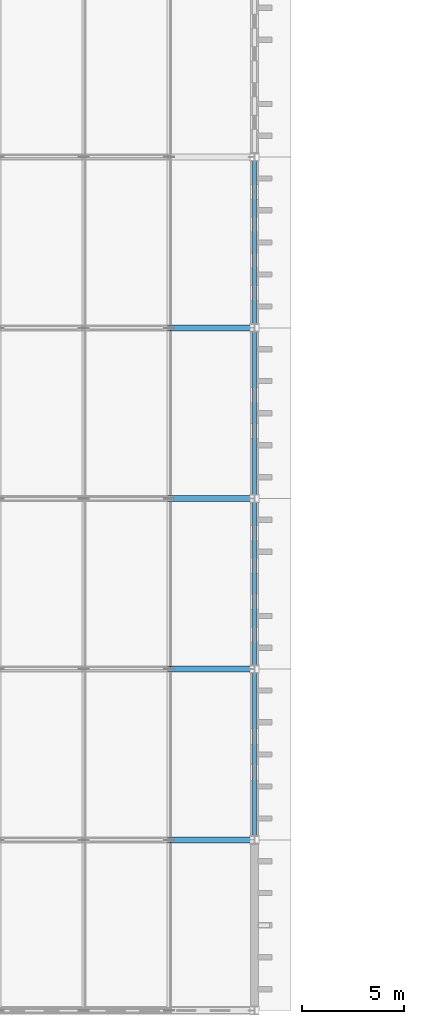
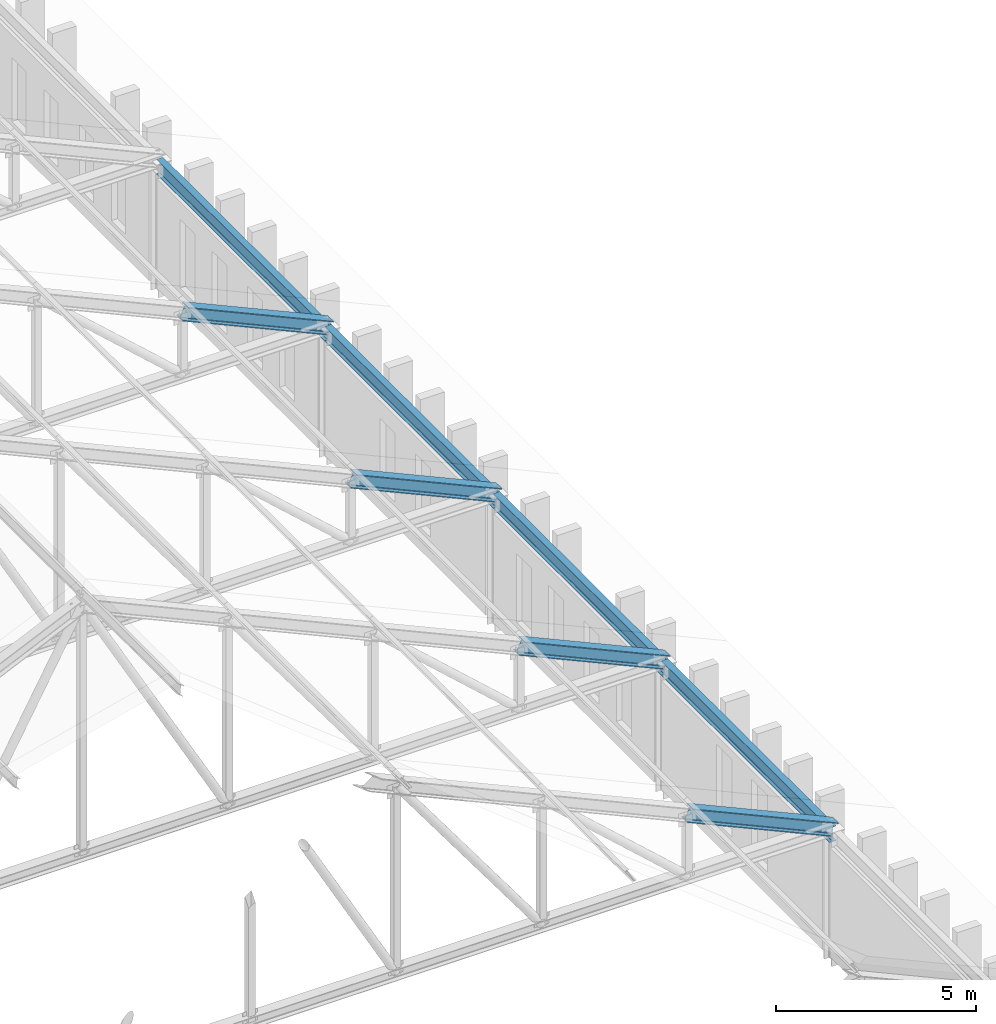
# One storey, part 13 of 110: 4 beams, 4 members.
"""IFC4 building model written with IfcOpenShell, lengths in metres."""

import ifcopenshell
import ifcopenshell.guid

model = None  # the IFC model being written
_history = None  # IfcOwnerHistory: only IFC2X3 demands one
_inside = {}  # id of a spatial element -> (the spatial element, [elements in it])
_under = {}  # id of a project, library or spatial element -> (it, [spatial elements below it])
_declared = {}  # id of a project -> (the project, [libraries it declares])
_typed = {}  # id of a type object -> (the type object, [elements of that type])
_made_of = {}  # id of a material, layer set ... -> (it, [elements and type objects made of it])


def new_model(schema):
    """Start an empty IFC model of exactly this schema.

    Asked for "IFC4X3", IfcOpenShell would pick the latest addendum, in which some entities
    have other attributes; the version numbers below select the first issue.
    IFC2X3 requires an IfcOwnerHistory on every rooted entity: one is made here for all.
    """
    global model, _history
    if schema == "IFC4X3":
        model = ifcopenshell.file(schema_version=(4, 3, 0, 0))
    else:
        model = ifcopenshell.file(schema=schema)
    _inside.clear()
    _under.clear()
    _declared.clear()
    _typed.clear()
    _made_of.clear()
    _history = None
    if model.schema == "IFC2X3":
        org = make("IfcOrganization", Name="unknown")
        user = make(
            "IfcPersonAndOrganization",
            ThePerson=make("IfcPerson", FamilyName="unknown"),
            TheOrganization=org,
        )
        app = make(
            "IfcApplication",
            ApplicationDeveloper=org,
            Version="unknown",
            ApplicationFullName="unknown",
            ApplicationIdentifier="unknown",
        )
        _history = make(
            "IfcOwnerHistory",
            OwningUser=user,
            OwningApplication=app,
            ChangeAction="ADDED",
            CreationDate=0,
        )
    return model


def make(cls, **values):
    """One entity of the class cls with the attributes given. An attribute that is None is left unset."""
    return model.create_entity(
        cls, **{name: value for name, value in values.items() if value is not None}
    )


def rooted(cls, **values):
    """An entity with a GlobalId (a new one), such as an element, a storey or a relation."""
    return make(cls, GlobalId=ifcopenshell.guid.new(), OwnerHistory=_history, **values)


def si_unit(unit_type, name, prefix=None):
    """IfcSIUnit, for example si_unit("LENGTHUNIT", "METRE", prefix="MILLI")."""
    return make("IfcSIUnit", UnitType=unit_type, Prefix=prefix, Name=name)


def assignment(units):
    """IfcUnitAssignment: the units of a project."""
    return None if units is None else make("IfcUnitAssignment", Units=units)


def point(xyz):
    """IfcCartesianPoint."""
    return None if xyz is None else make("IfcCartesianPoint", Coordinates=xyz)


def direction(xyz):
    """IfcDirection."""
    return None if xyz is None else make("IfcDirection", DirectionRatios=xyz)


def frame(location, z_axis=None, x_axis=None):
    """IfcAxis2Placement3D, a coordinate frame: its origin and axes. An axis left out is left unset."""
    return make(
        "IfcAxis2Placement3D",
        Location=point(location),
        Axis=direction(z_axis),
        RefDirection=direction(x_axis),
    )


def frame_2d(location, x_axis=None):
    """IfcAxis2Placement2D, a coordinate frame in the plane: its origin and x axis."""
    return make(
        "IfcAxis2Placement2D", Location=point(location), RefDirection=direction(x_axis)
    )


def origin():
    """The frame at (0, 0, 0) with its axes left unset."""
    return frame((0.0, 0.0, 0.0))


def origin_2d():
    """The frame at (0, 0) in the plane with its x axis left unset."""
    return frame_2d((0.0, 0.0))


def place(relative_to, where):
    """IfcLocalPlacement: puts the frame where relative to a parent placement (None: the world)."""
    return make(
        "IfcLocalPlacement", PlacementRelTo=relative_to, RelativePlacement=where
    )


def context(
    kind, dimensions, precision=None, world=None, true_north=None, identifier=None
):
    """IfcGeometricRepresentationContext, for example the 3D "Model" context."""
    return make(
        "IfcGeometricRepresentationContext",
        ContextIdentifier=identifier,
        ContextType=kind,
        CoordinateSpaceDimension=dimensions,
        Precision=precision,
        WorldCoordinateSystem=world,
        TrueNorth=true_north,
    )


def subcontext(parent, identifier, kind, view, scale=None):
    """IfcGeometricRepresentationSubContext, for example "Body" below "Model"."""
    return make(
        "IfcGeometricRepresentationSubContext",
        ContextIdentifier=identifier,
        ContextType=kind,
        ParentContext=parent,
        TargetScale=scale,
        TargetView=view,
    )


def project(units=None, contexts=None):
    """IfcProject with its units and contexts."""
    return rooted(
        "IfcProject",
        Name="project",
        RepresentationContexts=contexts,
        UnitsInContext=assignment(units),
    )


def spatial(cls, under=None, at=None, **own):
    """A site, building, storey or space (cls), placed at a placement, below another one or the project."""
    s = rooted(cls, ObjectPlacement=at, **own)
    if under is not None:
        _under.setdefault(under.id(), (under, []))[1].append(s)
    return s


def profile(cls, at=None, kind="AREA", **sizes):
    """A parametric profile (cls). Its sizes go by their IFC names, for example OverallWidth=200.0."""
    return make(cls, ProfileType=kind, Position=at, **sizes)


def i_section(**sizes):
    """IfcIShapeProfileDef."""
    return profile("IfcIShapeProfileDef", **sizes)


def extrude(swept, where, along, depth):
    """IfcExtrudedAreaSolid: the profile swept, set in the frame where, extruded along a direction by depth."""
    return make(
        "IfcExtrudedAreaSolid",
        SweptArea=swept,
        Position=where,
        ExtrudedDirection=direction(along),
        Depth=depth,
    )


def shape(context_of_items, identifier, shape_type, items):
    """IfcShapeRepresentation: the items that make up one representation, for example the "Body"."""
    return make(
        "IfcShapeRepresentation",
        ContextOfItems=context_of_items,
        RepresentationIdentifier=identifier,
        RepresentationType=shape_type,
        Items=items,
    )


def material(Name=None, Category=None):
    """IfcMaterial."""
    return make("IfcMaterial", Name=Name, Category=Category)


def material_profile(
    of_material, cross_section, Name=None, Category=None, Priority=None
):
    """IfcMaterialProfile: a cross section and its material."""
    return make(
        "IfcMaterialProfile",
        Name=Name,
        Material=of_material,
        Profile=cross_section,
        Priority=Priority,
        Category=Category,
    )


def profile_set(profiles, Name=None, composite=None):
    """IfcMaterialProfileSet."""
    return make(
        "IfcMaterialProfileSet",
        Name=Name,
        MaterialProfiles=profiles,
        CompositeProfile=composite,
    )


def made_of(thing, what):
    """Note that an element or type object is made of a material, layer set ...; save() writes the relation."""
    if what is not None:
        _made_of.setdefault(what.id(), (what, []))[1].append(thing)
    return thing


def type_object(cls, material=None, **own):
    """A type object (cls), such as IfcWallType, which elements share."""
    return made_of(rooted(cls, **own), material)


def element(
    cls,
    number,
    at=None,
    inside=None,
    cuts=None,
    type_object=None,
    material=None,
    context=None,
    identifier="Body",
    shape_type=None,
    held_by="IfcProductDefinitionShape",
    body=None,
    shapes=None,
    **own,
):
    """One element of the class cls, such as IfcWall. Its Tag is "e" and its number.

    at: its placement. inside: the storey or other place that contains it. cuts: it is an
    opening in that element (IfcRelVoidsElement). A single representation is given by context,
    identifier, shape_type and body (its items); several are given by shapes. held_by: the class
    of the entity that holds the representations. save() writes the other relations.
    """
    e = rooted(cls, Tag="e%d" % number, ObjectPlacement=at, **own)
    if body is not None:
        shapes = [shape(context, identifier, shape_type, body)]
    if shapes is not None:
        e.Representation = make(held_by, Representations=shapes)
    if inside is not None:
        _inside.setdefault(inside.id(), (inside, []))[1].append(e)
    if cuts is not None:
        rooted(
            "IfcRelVoidsElement", RelatingBuildingElement=cuts, RelatedOpeningElement=e
        )
    if type_object is not None:
        _typed.setdefault(type_object.id(), (type_object, []))[1].append(e)
    return made_of(e, material)


def aggregate(whole, parts):
    """IfcRelAggregates: a whole, such as a stair, and the parts it consists of."""
    return rooted("IfcRelAggregates", RelatingObject=whole, RelatedObjects=parts)


def save(model, path):
    """Write the relations noted so far, then the file.

    IfcRelAggregates (storeys below a building ...), IfcRelContainedInSpatialStructure (elements
    in a storey), IfcRelDefinesByType, IfcRelAssociatesMaterial and IfcRelDeclares: one each for
    every whole, place, type object, material and project.
    """
    for whole, parts in _under.values():
        aggregate(whole, parts)
    for where, things in _inside.values():
        rooted(
            "IfcRelContainedInSpatialStructure",
            RelatedElements=things,
            RelatingStructure=where,
        )
    for kind, things in _typed.values():
        rooted("IfcRelDefinesByType", RelatedObjects=things, RelatingType=kind)
    for what, things in _made_of.values():
        rooted("IfcRelAssociatesMaterial", RelatedObjects=things, RelatingMaterial=what)
    for by, libraries in _declared.values():
        rooted("IfcRelDeclares", RelatingContext=by, RelatedDefinitions=libraries)
    model.write(path)


model = new_model("IFC4")

# Units and contexts
model_context = context("Model", 3, precision=1e-05, world=origin(), true_north=direction((0.0, 1.0)))
body_context = subcontext(model_context, "Body", "Model", "MODEL_VIEW")
ifc_project = project(units=[si_unit("LENGTHUNIT", "METRE"), si_unit("AREAUNIT", "SQUARE_METRE"), si_unit("VOLUMEUNIT", "CUBIC_METRE"), si_unit("PLANEANGLEUNIT", "RADIAN"), si_unit("MASSUNIT", "GRAM", prefix="KILO")], contexts=[model_context])

# Site, building, storey
site_placement = place(None, origin())
site = spatial("IfcSite", under=ifc_project, at=site_placement, CompositionType="ELEMENT")
building_placement = place(site_placement, origin())
building = spatial("IfcBuilding", under=site, at=building_placement, Name="Kveldsbrygga Polytechnic", CompositionType="ELEMENT")
storey_placement = place(building_placement, frame((0.0, 0.0, 9.860107421875)))
storey = spatial("IfcBuildingStorey", under=building, at=storey_placement, Name="L02", CompositionType="ELEMENT", Elevation=9.860107421875)

# Beams
ifc_material = material(Name="Steel S355", Category="steel")
ifc_material_profile_1 = material_profile(ifc_material, i_section(OverallWidth=0.18994140625, OverallDepth=0.449951171875, WebThickness=0.009521484375, FlangeThickness=0.0146484375, FilletRadius=0.02099609375, at=origin_2d()), Name="IPE 450")
ifc_profile_set_1 = profile_set([ifc_material_profile_1], Name="Steel S355")
beam_type = type_object("IfcBeamType", Name="BM-STL-IPE450", PredefinedType="BEAM", material=ifc_profile_set_1)
for number, where, z_axis, x_axis, name in (
    (1, (33.60009765625, 33.60009765625, 3.554931640625), (0.0, 1.0, 0.0), (-1.0, 0.0, 0.0), "Workshop Eaves Beam BMY-V1EAV-E-04"),
    (2, (33.60009765625, 42.0, 3.554931640625), (0.0, 1.0, 0.0), (-1.0, 0.0, 0.0), "Workshop Eaves Beam BMY-V1EAV-E-05"),
):
    element("IfcBeam", number, at=place(storey_placement, frame(where, z_axis=z_axis, x_axis=x_axis)), inside=storey, type_object=beam_type, Name=name, PredefinedType="BEAM", context=body_context, shape_type="SweptSolid", body=[
        extrude(i_section(OverallWidth=0.18994140625, OverallDepth=0.449951171875, WebThickness=0.009521484375, FlangeThickness=0.0146484375, FilletRadius=0.02099609375, at=origin_2d()), origin(), (0.0, 0.0, 1.0), 8.39990234375),
    ])
beam_1_placement = place(storey_placement, frame((33.60009765625, 50.39990234375, 3.554931640625), z_axis=(0.0, 1.0, 0.0), x_axis=(-1.0, 0.0, 0.0)))
element("IfcBeam", 3, at=beam_1_placement, inside=storey, type_object=beam_type, Name="Workshop Eaves Beam BMY-V1EAV-E-06", PredefinedType="BEAM", context=body_context, shape_type="SweptSolid", body=[
    extrude(i_section(OverallWidth=0.18994140625, OverallDepth=0.449951171875, WebThickness=0.009521484375, FlangeThickness=0.0146484375, FilletRadius=0.02099609375, at=origin_2d()), origin(), (0.0, 0.0, 1.0), 8.400146484375),
])
beam_2_placement = place(storey_placement, frame((33.60009765625, 58.800048828125, 3.554931640625), z_axis=(0.0, 1.0, 0.0), x_axis=(-1.0, 0.0, 0.0)))
element("IfcBeam", 4, at=beam_2_placement, inside=storey, type_object=beam_type, Name="Workshop Eaves Beam BMY-V1EAV-E-07", PredefinedType="BEAM", context=body_context, shape_type="SweptSolid", body=[
    extrude(i_section(OverallWidth=0.18994140625, OverallDepth=0.449951171875, WebThickness=0.009521484375, FlangeThickness=0.0146484375, FilletRadius=0.02099609375, at=origin_2d()), origin(), (0.0, 0.0, 1.0), 8.39990234375),
])

# Members
ifc_material_profile_2 = material_profile(ifc_material, i_section(OverallWidth=0.300048828125, OverallDepth=0.39990234375, WebThickness=0.013427734375, FlangeThickness=0.02392578125, FilletRadius=0.027099609375, at=origin_2d()), Name="HEB 400")
ifc_profile_set_2 = profile_set([ifc_material_profile_2], Name="Steel S355")
member_type = type_object("IfcMemberType", Name="TR-TOP-HEB400", PredefinedType="CHORD", material=ifc_profile_set_2)
for number, where, z_axis, x_axis, name in (
    (5, (29.39990234375, 33.60009765625, 5.679931640625), (0.911103187639, 0.0, -0.412178336979), (0.0, 1.0, 0.0), "Truss Top Chord V1W-T02-TC-8"),
    (6, (29.39990234375, 42.0, 5.679931640625), (0.911103187639, 0.0, -0.412178336979), (0.0, 1.0, 0.0), "Truss Top Chord V1W-T03-TC-8"),
    (7, (29.39990234375, 50.39990234375, 5.679931640625), (0.911103187639, 0.0, -0.412178336979), (0.0, 1.0, 0.0), "Truss Top Chord V1W-T04-TC-8"),
    (8, (29.39990234375, 58.800048828125, 5.679931640625), (0.911103187639, 0.0, -0.412178336979), (0.0, 1.0, 0.0), "Truss Top Chord V1W-T05-TC-8"),
):
    element("IfcMember", number, at=place(storey_placement, frame(where, z_axis=z_axis, x_axis=x_axis)), inside=storey, type_object=member_type, Name=name, PredefinedType="CHORD", context=body_context, shape_type="SweptSolid", body=[
        extrude(i_section(OverallWidth=0.300048828125, OverallDepth=0.39990234375, WebThickness=0.013427734375, FlangeThickness=0.02392578125, FilletRadius=0.027099609375, at=origin_2d()), origin(), (0.0, 0.0, 1.0), 4.610107421875),
    ])

save(model, "model.ifc")
